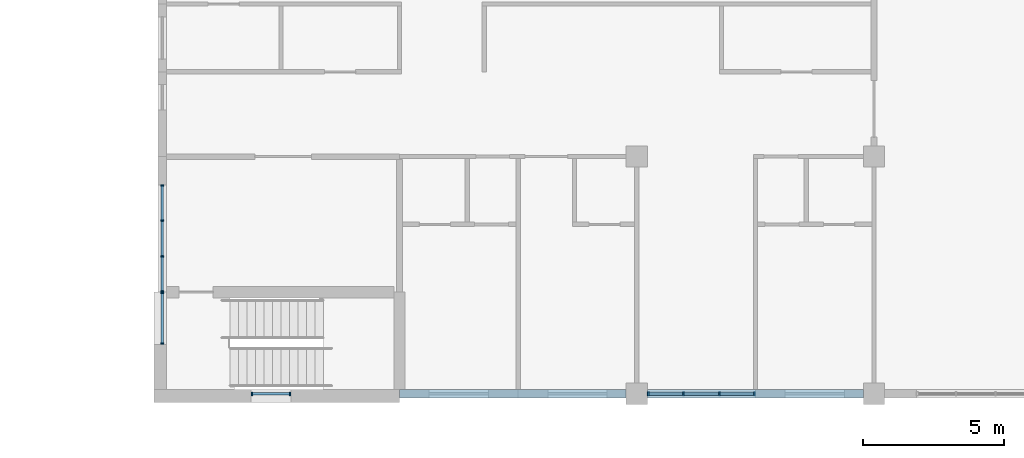
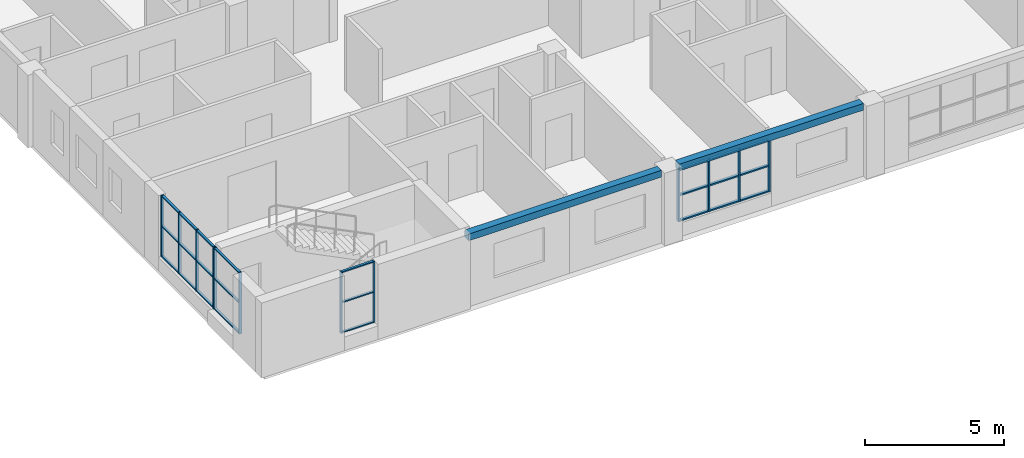
# One storey, part 9 of 48: 36 members, 2 beams, 4 elements without a shape of their own.
"""IFC4 building model written with IfcOpenShell, lengths in metres."""

from ifc_helpers import new_model, si_unit, direction, frame, origin, origin_2d, place, context, subcontext, project, spatial, rectangle, extrude, material, material_profile, profile_set, type_object, element, aggregate, save


model = new_model("IFC4")

# Units and contexts
model_context = context("Model", 3, precision=1e-05, world=origin(), true_north=direction((0.0, 1.0)))
body_context = subcontext(model_context, "Body", "Model", "MODEL_VIEW")
ifc_project = project(units=[si_unit("LENGTHUNIT", "METRE"), si_unit("AREAUNIT", "SQUARE_METRE"), si_unit("VOLUMEUNIT", "CUBIC_METRE"), si_unit("PLANEANGLEUNIT", "RADIAN"), si_unit("MASSUNIT", "GRAM", prefix="KILO")], contexts=[model_context])

# Site, building, storey
site_placement = place(None, origin())
site = spatial("IfcSite", under=ifc_project, at=site_placement, CompositionType="ELEMENT")
building_placement = place(site_placement, origin())
building = spatial("IfcBuilding", under=site, at=building_placement, Name="Yavir Park General Hospital", CompositionType="ELEMENT")
storey_placement = place(building_placement, frame((0.0, 0.0, 26.10009765625)))
storey = spatial("IfcBuildingStorey", under=building, at=storey_placement, Name="L06", CompositionType="ELEMENT", Elevation=26.10009765625)

# Curtain wall, members
ifc_material_1 = material(Name="Aluminium curtain wall frame with insulated glazing", Category="aluminium")
curtain_wall_type_1 = type_object("IfcCurtainWallType", Name="Day room pocket glazing, ward floors, 2300 high, 1400 module", PredefinedType="NOTDEFINED", material=ifc_material_1)
curtain_wall_1_placement = place(storey_placement, origin())
curtain_wall_1 = element("IfcCurtainWall", 1, at=curtain_wall_1_placement, inside=storey, type_object=curtain_wall_type_1, Name="CW63 L06-005", PredefinedType="NOTDEFINED")
ifc_material_2 = material(Name="Aluminium", Category="aluminium")
ifc_material_profile_1 = material_profile(ifc_material_2, rectangle(XDim=0.139892578125, YDim=0.06005859375, at=origin_2d()), Name="AL 60x140")
ifc_profile_set_1 = profile_set([ifc_material_profile_1], Name="Aluminium")
member_type_1 = type_object("IfcMemberType", Name="Day room pocket glazing, ward floors, 2300 high mullion 60 x 140", PredefinedType="MULLION", material=ifc_profile_set_1)
member_1_placement = place(storey_placement, frame((118.0048828125, 0.0, 0.599853515625), z_axis=(0.0, 0.0, 1.0), x_axis=(0.0, 1.0, 0.0)))
member_1 = element("IfcMember", 2, at=member_1_placement, type_object=member_type_1, Name="CW63 mullion 1", PredefinedType="MULLION", context=body_context, shape_type="SweptSolid", body=[
    extrude(rectangle(XDim=0.139892578125, YDim=0.06005859375, at=origin_2d()), origin(), (0.0, 0.0, 1.0), 2.300048828125),
])
member_2_placement = place(storey_placement, frame((119.25, 0.0, 0.599853515625), z_axis=(0.0, 0.0, 1.0), x_axis=(0.0, 1.0, 0.0)))
member_2 = element("IfcMember", 3, at=member_2_placement, type_object=member_type_1, Name="CW63 mullion 2", PredefinedType="MULLION", context=body_context, shape_type="SweptSolid", body=[
    extrude(rectangle(XDim=0.139892578125, YDim=0.06005859375, at=origin_2d()), origin(), (0.0, 0.0, 1.0), 2.300048828125),
])
member_3_placement = place(storey_placement, frame((120.52490234375, 0.0, 0.599853515625), z_axis=(0.0, 0.0, 1.0), x_axis=(0.0, 1.0, 0.0)))
member_3 = element("IfcMember", 4, at=member_3_placement, type_object=member_type_1, Name="CW63 mullion 3", PredefinedType="MULLION", context=body_context, shape_type="SweptSolid", body=[
    extrude(rectangle(XDim=0.139892578125, YDim=0.06005859375, at=origin_2d()), origin(), (0.0, 0.0, 1.0), 2.300048828125),
])
member_4_placement = place(storey_placement, frame((121.77001953125, 0.0, 0.599853515625), z_axis=(0.0, 0.0, 1.0), x_axis=(0.0, 1.0, 0.0)))
member_4 = element("IfcMember", 5, at=member_4_placement, type_object=member_type_1, Name="CW63 mullion 4", PredefinedType="MULLION", context=body_context, shape_type="SweptSolid", body=[
    extrude(rectangle(XDim=0.139892578125, YDim=0.06005859375, at=origin_2d()), origin(), (0.0, 0.0, 1.0), 2.300048828125),
])
ifc_material_3 = material(Name="Aluminium", Category="aluminium")
ifc_material_profile_2 = material_profile(ifc_material_3, rectangle(XDim=0.1201171875, YDim=0.06005859375, at=origin_2d()), Name="AL 120x60")
ifc_profile_set_2 = profile_set([ifc_material_profile_2], Name="Aluminium")
member_type_2 = type_object("IfcMemberType", Name="Day room pocket glazing, ward floors, 2300 high transom 60 x 120", PredefinedType="MULLION", material=ifc_profile_set_2)
member_5_placement = place(storey_placement, frame((118.034912109375, 0.0, 0.6298828125), z_axis=(1.0, 0.0, 0.0), x_axis=(0.0, 1.0, 0.0)))
member_5 = element("IfcMember", 6, at=member_5_placement, type_object=member_type_2, Name="CW63 transom 1.1", PredefinedType="MULLION", context=body_context, shape_type="SweptSolid", body=[
    extrude(rectangle(XDim=0.1201171875, YDim=0.06005859375, at=origin_2d()), origin(), (0.0, 0.0, 1.0), 1.18505859375),
])
member_6_placement = place(storey_placement, frame((118.034912109375, 0.0, 1.75), z_axis=(1.0, 0.0, 0.0), x_axis=(0.0, 1.0, 0.0)))
member_6 = element("IfcMember", 7, at=member_6_placement, type_object=member_type_2, Name="CW63 transom 1.2", PredefinedType="MULLION", context=body_context, shape_type="SweptSolid", body=[
    extrude(rectangle(XDim=0.1201171875, YDim=0.06005859375, at=origin_2d()), origin(), (0.0, 0.0, 1.0), 1.18505859375),
])
member_7_placement = place(storey_placement, frame((118.034912109375, 0.0, 2.869873046875), z_axis=(1.0, 0.0, 0.0), x_axis=(0.0, 1.0, 0.0)))
member_7 = element("IfcMember", 8, at=member_7_placement, type_object=member_type_2, Name="CW63 transom 1.3", PredefinedType="MULLION", context=body_context, shape_type="SweptSolid", body=[
    extrude(rectangle(XDim=0.1201171875, YDim=0.06005859375, at=origin_2d()), origin(), (0.0, 0.0, 1.0), 1.18505859375),
])
member_8_placement = place(storey_placement, frame((119.280029296875, 0.0, 0.6298828125), z_axis=(1.0, 0.0, 0.0), x_axis=(0.0, 1.0, 0.0)))
member_8 = element("IfcMember", 9, at=member_8_placement, type_object=member_type_2, Name="CW63 transom 2.1", PredefinedType="MULLION", context=body_context, shape_type="SweptSolid", body=[
    extrude(rectangle(XDim=0.1201171875, YDim=0.06005859375, at=origin_2d()), origin(), (0.0, 0.0, 1.0), 1.215087890625),
])
member_9_placement = place(storey_placement, frame((119.280029296875, 0.0, 1.75), z_axis=(1.0, 0.0, 0.0), x_axis=(0.0, 1.0, 0.0)))
member_9 = element("IfcMember", 10, at=member_9_placement, type_object=member_type_2, Name="CW63 transom 2.2", PredefinedType="MULLION", context=body_context, shape_type="SweptSolid", body=[
    extrude(rectangle(XDim=0.1201171875, YDim=0.06005859375, at=origin_2d()), origin(), (0.0, 0.0, 1.0), 1.215087890625),
])
member_10_placement = place(storey_placement, frame((119.280029296875, 0.0, 2.869873046875), z_axis=(1.0, 0.0, 0.0), x_axis=(0.0, 1.0, 0.0)))
member_10 = element("IfcMember", 11, at=member_10_placement, type_object=member_type_2, Name="CW63 transom 2.3", PredefinedType="MULLION", context=body_context, shape_type="SweptSolid", body=[
    extrude(rectangle(XDim=0.1201171875, YDim=0.06005859375, at=origin_2d()), origin(), (0.0, 0.0, 1.0), 1.215087890625),
])
member_11_placement = place(storey_placement, frame((120.554931640625, 0.0, 0.6298828125), z_axis=(1.0, 0.0, 0.0), x_axis=(0.0, 1.0, 0.0)))
member_11 = element("IfcMember", 12, at=member_11_placement, type_object=member_type_2, Name="CW63 transom 3.1", PredefinedType="MULLION", context=body_context, shape_type="SweptSolid", body=[
    extrude(rectangle(XDim=0.1201171875, YDim=0.06005859375, at=origin_2d()), origin(), (0.0, 0.0, 1.0), 1.18505859375),
])
member_12_placement = place(storey_placement, frame((120.554931640625, 0.0, 1.75), z_axis=(1.0, 0.0, 0.0), x_axis=(0.0, 1.0, 0.0)))
member_12 = element("IfcMember", 13, at=member_12_placement, type_object=member_type_2, Name="CW63 transom 3.2", PredefinedType="MULLION", context=body_context, shape_type="SweptSolid", body=[
    extrude(rectangle(XDim=0.1201171875, YDim=0.06005859375, at=origin_2d()), origin(), (0.0, 0.0, 1.0), 1.18505859375),
])
member_13_placement = place(storey_placement, frame((120.554931640625, 0.0, 2.869873046875), z_axis=(1.0, 0.0, 0.0), x_axis=(0.0, 1.0, 0.0)))
member_13 = element("IfcMember", 14, at=member_13_placement, type_object=member_type_2, Name="CW63 transom 3.3", PredefinedType="MULLION", context=body_context, shape_type="SweptSolid", body=[
    extrude(rectangle(XDim=0.1201171875, YDim=0.06005859375, at=origin_2d()), origin(), (0.0, 0.0, 1.0), 1.18505859375),
])
aggregate(curtain_wall_1, [member_1, member_2, member_3, member_4, member_5, member_6, member_7, member_8, member_9, member_10, member_11, member_12, member_13])

# Beams
ifc_material_4 = material(Name="Concrete C35/45", Category="concrete")
ifc_material_profile_3 = material_profile(ifc_material_4, rectangle(XDim=0.300048828125, YDim=0.300048828125, at=origin_2d()), Name="RC300x300")
ifc_profile_set_3 = profile_set([ifc_material_profile_3], Name="Concrete C35/45")
beam_type = type_object("IfcBeamType", Name="RC BEAM 300x300 edge beam", PredefinedType="BEAM", material=ifc_profile_set_3)
beam_1_placement = place(storey_placement, frame((109.199951171875, 0.0, 3.0498046875), z_axis=(1.0, 0.0, 0.0), x_axis=(0.0, 1.0, 0.0)))
element("IfcBeam", 15, at=beam_1_placement, inside=storey, type_object=beam_type, Name="B:EDGE:L06:005", PredefinedType="BEAM", context=body_context, shape_type="SweptSolid", body=[
    extrude(rectangle(XDim=0.300048828125, YDim=0.300048828125, at=origin_2d()), origin(), (0.0, 0.0, 1.0), 8.025146484375),
])
beam_2_placement = place(storey_placement, frame((117.97509765625, 0.0, 3.0498046875), z_axis=(1.0, 0.0, 0.0), x_axis=(0.0, 1.0, 0.0)))
element("IfcBeam", 16, at=beam_2_placement, inside=storey, type_object=beam_type, Name="B:EDGE:L06:006", PredefinedType="BEAM", context=body_context, shape_type="SweptSolid", body=[
    extrude(rectangle(XDim=0.300048828125, YDim=0.300048828125, at=origin_2d()), origin(), (0.0, 0.0, 1.0), 7.64990234375),
])

# Curtain wall, members
ifc_material_5 = material(Name="Aluminium curtain wall frame with insulated glazing", Category="aluminium")
curtain_wall_type_2 = type_object("IfcCurtainWallType", Name="Stair light slot, ward floors, 2700 high, 1400 module", PredefinedType="NOTDEFINED", material=ifc_material_5)
curtain_wall_2_placement = place(storey_placement, origin())
curtain_wall_2 = element("IfcCurtainWall", 17, at=curtain_wall_2_placement, inside=storey, type_object=curtain_wall_type_2, Name="CW64 L06-004", PredefinedType="NOTDEFINED")
ifc_material_6 = material(Name="Aluminium", Category="aluminium")
ifc_material_profile_4 = material_profile(ifc_material_6, rectangle(XDim=0.1201171875, YDim=0.050048828125, at=origin_2d()), Name="AL 50x120")
ifc_profile_set_4 = profile_set([ifc_material_profile_4], Name="Aluminium")
member_type_3 = type_object("IfcMemberType", Name="Stair light slot, ward floors, 2700 high mullion 50 x 120", PredefinedType="MULLION", material=ifc_profile_set_4)
member_14_placement = place(storey_placement, frame((103.97509765625, 0.0, 0.599853515625), z_axis=(0.0, 0.0, 1.0), x_axis=(0.0, 1.0, 0.0)))
member_14 = element("IfcMember", 18, at=member_14_placement, type_object=member_type_3, Name="CW64 mullion 1", PredefinedType="MULLION", context=body_context, shape_type="SweptSolid", body=[
    extrude(rectangle(XDim=0.1201171875, YDim=0.050048828125, at=origin_2d()), origin(), (0.0, 0.0, 1.0), 2.699951171875),
])
member_15_placement = place(storey_placement, frame((105.324951171875, 0.0, 0.599853515625), z_axis=(0.0, 0.0, 1.0), x_axis=(0.0, 1.0, 0.0)))
member_15 = element("IfcMember", 19, at=member_15_placement, type_object=member_type_3, Name="CW64 mullion 2", PredefinedType="MULLION", context=body_context, shape_type="SweptSolid", body=[
    extrude(rectangle(XDim=0.1201171875, YDim=0.050048828125, at=origin_2d()), origin(), (0.0, 0.0, 1.0), 2.699951171875),
])

curtain_wall_3_placement = place(storey_placement, origin())
curtain_wall_3 = element("IfcCurtainWall", 20, at=curtain_wall_3_placement, inside=storey, type_object=curtain_wall_type_2, Name="CW64 L06-029", PredefinedType="NOTDEFINED")
member_16_placement = place(storey_placement, frame((100.800048828125, 1.77490234375, 0.599853515625), z_axis=(0.0, 0.0, 1.0), x_axis=(-1.0, 0.0, 0.0)))
member_16 = element("IfcMember", 21, at=member_16_placement, type_object=member_type_3, Name="CW64 mullion 1", PredefinedType="MULLION", context=body_context, shape_type="SweptSolid", body=[
    extrude(rectangle(XDim=0.1201171875, YDim=0.050048828125, at=origin_2d()), origin(), (0.0, 0.0, 1.0), 2.699951171875),
])
member_17_placement = place(storey_placement, frame((100.800048828125, 3.574951171875, 0.599853515625), z_axis=(0.0, 0.0, 1.0), x_axis=(-1.0, 0.0, 0.0)))
member_17 = element("IfcMember", 22, at=member_17_placement, type_object=member_type_3, Name="CW64 mullion 2", PredefinedType="MULLION", context=body_context, shape_type="SweptSolid", body=[
    extrude(rectangle(XDim=0.1201171875, YDim=0.050048828125, at=origin_2d()), origin(), (0.0, 0.0, 1.0), 2.699951171875),
])

# Member
ifc_material_7 = material(Name="Aluminium", Category="aluminium")
ifc_material_profile_5 = material_profile(ifc_material_7, rectangle(XDim=0.10009765625, YDim=0.050048828125, at=origin_2d()), Name="AL 100x50")
ifc_profile_set_5 = profile_set([ifc_material_profile_5], Name="Aluminium")
member_type_4 = type_object("IfcMemberType", Name="Stair light slot, ward floors, 2700 high transom 50 x 100", PredefinedType="MULLION", material=ifc_profile_set_5)
member_18_placement = place(storey_placement, frame((104.0, 0.0, 0.625), z_axis=(1.0, 0.0, 0.0), x_axis=(0.0, 1.0, 0.0)))
member_18 = element("IfcMember", 23, at=member_18_placement, type_object=member_type_4, Name="CW64 transom 1.1", PredefinedType="MULLION", context=body_context, shape_type="SweptSolid", body=[
    extrude(rectangle(XDim=0.10009765625, YDim=0.050048828125, at=origin_2d()), origin(), (0.0, 0.0, 1.0), 1.300048828125),
])

member_19_placement = place(storey_placement, frame((104.0, 0.0, 1.949951171875), z_axis=(1.0, 0.0, 0.0), x_axis=(0.0, 1.0, 0.0)))
member_19 = element("IfcMember", 24, at=member_19_placement, type_object=member_type_4, Name="CW64 transom 1.2", PredefinedType="MULLION", context=body_context, shape_type="SweptSolid", body=[
    extrude(rectangle(XDim=0.10009765625, YDim=0.050048828125, at=origin_2d()), origin(), (0.0, 0.0, 1.0), 1.300048828125),
])

member_20_placement = place(storey_placement, frame((104.0, 0.0, 3.27490234375), z_axis=(1.0, 0.0, 0.0), x_axis=(0.0, 1.0, 0.0)))
member_20 = element("IfcMember", 25, at=member_20_placement, type_object=member_type_4, Name="CW64 transom 1.3", PredefinedType="MULLION", context=body_context, shape_type="SweptSolid", body=[
    extrude(rectangle(XDim=0.10009765625, YDim=0.050048828125, at=origin_2d()), origin(), (0.0, 0.0, 1.0), 1.300048828125),
])

aggregate(curtain_wall_2, [member_14, member_15, member_18, member_19, member_20])

member_21_placement = place(storey_placement, frame((100.800048828125, 1.800048828125, 0.625), z_axis=(0.0, 1.0, 0.0), x_axis=(-1.0, 0.0, 0.0)))
member_21 = element("IfcMember", 26, at=member_21_placement, type_object=member_type_4, Name="CW64 transom 1.1", PredefinedType="MULLION", context=body_context, shape_type="SweptSolid", body=[
    extrude(rectangle(XDim=0.10009765625, YDim=0.050048828125, at=origin_2d()), origin(), (0.0, 0.0, 1.0), 1.75),
])

member_22_placement = place(storey_placement, frame((100.800048828125, 1.800048828125, 1.949951171875), z_axis=(0.0, 1.0, 0.0), x_axis=(-1.0, 0.0, 0.0)))
member_22 = element("IfcMember", 27, at=member_22_placement, type_object=member_type_4, Name="CW64 transom 1.2", PredefinedType="MULLION", context=body_context, shape_type="SweptSolid", body=[
    extrude(rectangle(XDim=0.10009765625, YDim=0.050048828125, at=origin_2d()), origin(), (0.0, 0.0, 1.0), 1.75),
])

member_23_placement = place(storey_placement, frame((100.800048828125, 1.800048828125, 3.27490234375), z_axis=(0.0, 1.0, 0.0), x_axis=(-1.0, 0.0, 0.0)))
member_23 = element("IfcMember", 28, at=member_23_placement, type_object=member_type_4, Name="CW64 transom 1.3", PredefinedType="MULLION", context=body_context, shape_type="SweptSolid", body=[
    extrude(rectangle(XDim=0.10009765625, YDim=0.050048828125, at=origin_2d()), origin(), (0.0, 0.0, 1.0), 1.75),
])

aggregate(curtain_wall_3, [member_16, member_17, member_21, member_22, member_23])

# Curtain wall, members
ifc_material_8 = material(Name="Aluminium curtain wall frame with insulated glazing", Category="aluminium")
curtain_wall_type_3 = type_object("IfcCurtainWallType", Name="Ward corridor end glazing, 2700 high, 1400 module", PredefinedType="NOTDEFINED", material=ifc_material_8)
curtain_wall_4_placement = place(storey_placement, origin())
curtain_wall_4 = element("IfcCurtainWall", 29, at=curtain_wall_4_placement, inside=storey, type_object=curtain_wall_type_3, Name="CW66 L06-030", PredefinedType="NOTDEFINED")
ifc_material_9 = material(Name="Aluminium", Category="aluminium")
ifc_material_profile_6 = material_profile(ifc_material_9, rectangle(XDim=0.1201171875, YDim=0.050048828125, at=origin_2d()), Name="AL 50x120")
ifc_profile_set_6 = profile_set([ifc_material_profile_6], Name="Aluminium")
member_type_5 = type_object("IfcMemberType", Name="Ward corridor end glazing, 2700 high mullion 50 x 120", PredefinedType="MULLION", material=ifc_profile_set_6)
member_24_placement = place(storey_placement, frame((100.800048828125, 3.625, 0.599853515625), z_axis=(0.0, 0.0, 1.0), x_axis=(-1.0, 0.0, 0.0)))
member_24 = element("IfcMember", 30, at=member_24_placement, type_object=member_type_5, Name="CW66 mullion 1", PredefinedType="MULLION", context=body_context, shape_type="SweptSolid", body=[
    extrude(rectangle(XDim=0.1201171875, YDim=0.050048828125, at=origin_2d()), origin(), (0.0, 0.0, 1.0), 2.699951171875),
])
member_25_placement = place(storey_placement, frame((100.800048828125, 4.86669921875, 0.599853515625), z_axis=(0.0, 0.0, 1.0), x_axis=(-1.0, 0.0, 0.0)))
member_25 = element("IfcMember", 31, at=member_25_placement, type_object=member_type_5, Name="CW66 mullion 2", PredefinedType="MULLION", context=body_context, shape_type="SweptSolid", body=[
    extrude(rectangle(XDim=0.1201171875, YDim=0.050048828125, at=origin_2d()), origin(), (0.0, 0.0, 1.0), 2.699951171875),
])
member_26_placement = place(storey_placement, frame((100.800048828125, 6.13330078125, 0.599853515625), z_axis=(0.0, 0.0, 1.0), x_axis=(-1.0, 0.0, 0.0)))
member_26 = element("IfcMember", 32, at=member_26_placement, type_object=member_type_5, Name="CW66 mullion 3", PredefinedType="MULLION", context=body_context, shape_type="SweptSolid", body=[
    extrude(rectangle(XDim=0.1201171875, YDim=0.050048828125, at=origin_2d()), origin(), (0.0, 0.0, 1.0), 2.699951171875),
])
member_27_placement = place(storey_placement, frame((100.800048828125, 7.375, 0.599853515625), z_axis=(0.0, 0.0, 1.0), x_axis=(-1.0, 0.0, 0.0)))
member_27 = element("IfcMember", 33, at=member_27_placement, type_object=member_type_5, Name="CW66 mullion 4", PredefinedType="MULLION", context=body_context, shape_type="SweptSolid", body=[
    extrude(rectangle(XDim=0.1201171875, YDim=0.050048828125, at=origin_2d()), origin(), (0.0, 0.0, 1.0), 2.699951171875),
])
ifc_material_10 = material(Name="Aluminium", Category="aluminium")
ifc_material_profile_7 = material_profile(ifc_material_10, rectangle(XDim=0.10009765625, YDim=0.050048828125, at=origin_2d()), Name="AL 100x50")
ifc_profile_set_7 = profile_set([ifc_material_profile_7], Name="Aluminium")
member_type_6 = type_object("IfcMemberType", Name="Ward corridor end glazing, 2700 high transom 50 x 100", PredefinedType="MULLION", material=ifc_profile_set_7)
member_28_placement = place(storey_placement, frame((100.800048828125, 3.64990234375, 0.625), z_axis=(0.0, 1.0, 0.0), x_axis=(-1.0, 0.0, 0.0)))
member_28 = element("IfcMember", 34, at=member_28_placement, type_object=member_type_6, Name="CW66 transom 1.1", PredefinedType="MULLION", context=body_context, shape_type="SweptSolid", body=[
    extrude(rectangle(XDim=0.10009765625, YDim=0.050048828125, at=origin_2d()), origin(), (0.0, 0.0, 1.0), 1.191650390625),
])
member_29_placement = place(storey_placement, frame((100.800048828125, 3.64990234375, 1.949951171875), z_axis=(0.0, 1.0, 0.0), x_axis=(-1.0, 0.0, 0.0)))
member_29 = element("IfcMember", 35, at=member_29_placement, type_object=member_type_6, Name="CW66 transom 1.2", PredefinedType="MULLION", context=body_context, shape_type="SweptSolid", body=[
    extrude(rectangle(XDim=0.10009765625, YDim=0.050048828125, at=origin_2d()), origin(), (0.0, 0.0, 1.0), 1.191650390625),
])
member_30_placement = place(storey_placement, frame((100.800048828125, 3.64990234375, 3.27490234375), z_axis=(0.0, 1.0, 0.0), x_axis=(-1.0, 0.0, 0.0)))
member_30 = element("IfcMember", 36, at=member_30_placement, type_object=member_type_6, Name="CW66 transom 1.3", PredefinedType="MULLION", context=body_context, shape_type="SweptSolid", body=[
    extrude(rectangle(XDim=0.10009765625, YDim=0.050048828125, at=origin_2d()), origin(), (0.0, 0.0, 1.0), 1.191650390625),
])
member_31_placement = place(storey_placement, frame((100.800048828125, 4.8916015625, 0.625), z_axis=(0.0, 1.0, 0.0), x_axis=(-1.0, 0.0, 0.0)))
member_31 = element("IfcMember", 37, at=member_31_placement, type_object=member_type_6, Name="CW66 transom 2.1", PredefinedType="MULLION", context=body_context, shape_type="SweptSolid", body=[
    extrude(rectangle(XDim=0.10009765625, YDim=0.050048828125, at=origin_2d()), origin(), (0.0, 0.0, 1.0), 1.216796875),
])
member_32_placement = place(storey_placement, frame((100.800048828125, 4.8916015625, 1.949951171875), z_axis=(0.0, 1.0, 0.0), x_axis=(-1.0, 0.0, 0.0)))
member_32 = element("IfcMember", 38, at=member_32_placement, type_object=member_type_6, Name="CW66 transom 2.2", PredefinedType="MULLION", context=body_context, shape_type="SweptSolid", body=[
    extrude(rectangle(XDim=0.10009765625, YDim=0.050048828125, at=origin_2d()), origin(), (0.0, 0.0, 1.0), 1.216796875),
])
member_33_placement = place(storey_placement, frame((100.800048828125, 4.8916015625, 3.27490234375), z_axis=(0.0, 1.0, 0.0), x_axis=(-1.0, 0.0, 0.0)))
member_33 = element("IfcMember", 39, at=member_33_placement, type_object=member_type_6, Name="CW66 transom 2.3", PredefinedType="MULLION", context=body_context, shape_type="SweptSolid", body=[
    extrude(rectangle(XDim=0.10009765625, YDim=0.050048828125, at=origin_2d()), origin(), (0.0, 0.0, 1.0), 1.216796875),
])
member_34_placement = place(storey_placement, frame((100.800048828125, 6.158447265625, 0.625), z_axis=(0.0, 1.0, 0.0), x_axis=(-1.0, 0.0, 0.0)))
member_34 = element("IfcMember", 40, at=member_34_placement, type_object=member_type_6, Name="CW66 transom 3.1", PredefinedType="MULLION", context=body_context, shape_type="SweptSolid", body=[
    extrude(rectangle(XDim=0.10009765625, YDim=0.050048828125, at=origin_2d()), origin(), (0.0, 0.0, 1.0), 1.191650390625),
])
member_35_placement = place(storey_placement, frame((100.800048828125, 6.158447265625, 1.949951171875), z_axis=(0.0, 1.0, 0.0), x_axis=(-1.0, 0.0, 0.0)))
member_35 = element("IfcMember", 41, at=member_35_placement, type_object=member_type_6, Name="CW66 transom 3.2", PredefinedType="MULLION", context=body_context, shape_type="SweptSolid", body=[
    extrude(rectangle(XDim=0.10009765625, YDim=0.050048828125, at=origin_2d()), origin(), (0.0, 0.0, 1.0), 1.191650390625),
])
member_36_placement = place(storey_placement, frame((100.800048828125, 6.158447265625, 3.27490234375), z_axis=(0.0, 1.0, 0.0), x_axis=(-1.0, 0.0, 0.0)))
member_36 = element("IfcMember", 42, at=member_36_placement, type_object=member_type_6, Name="CW66 transom 3.3", PredefinedType="MULLION", context=body_context, shape_type="SweptSolid", body=[
    extrude(rectangle(XDim=0.10009765625, YDim=0.050048828125, at=origin_2d()), origin(), (0.0, 0.0, 1.0), 1.191650390625),
])
aggregate(curtain_wall_4, [member_24, member_25, member_26, member_27, member_28, member_29, member_30, member_31, member_32, member_33, member_34, member_35, member_36])

save(model, "model.ifc")
